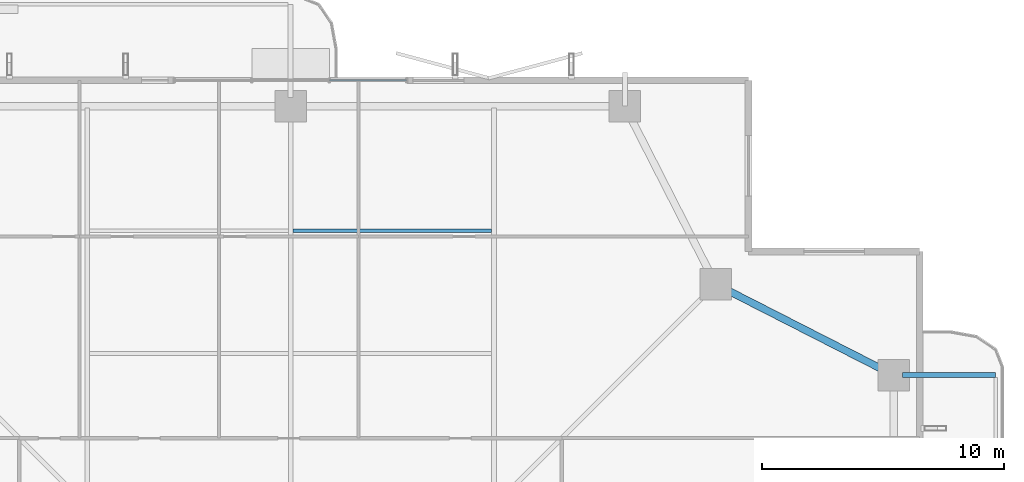
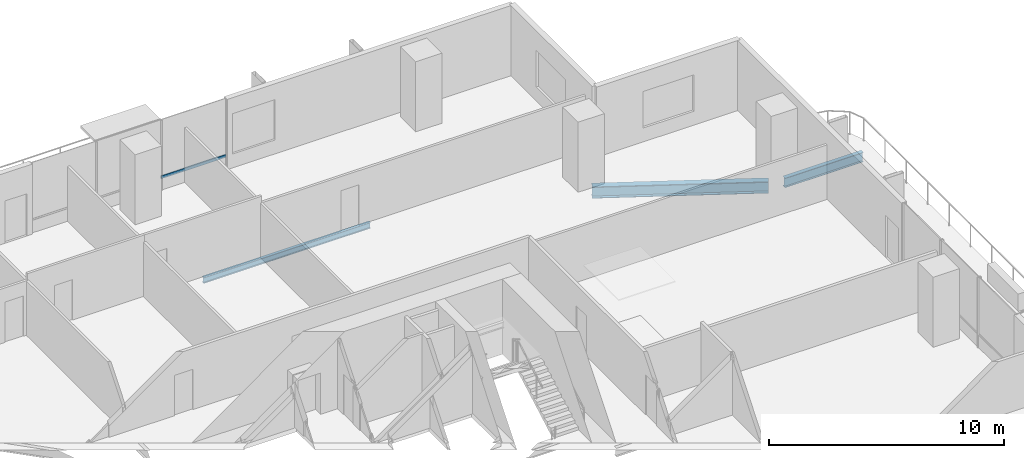
# One storey, part 14 of 24: 3 beams, 1 member, 1 element without a shape of its own.
"""IFC4 building model written with IfcOpenShell, lengths in metres."""

from ifc_helpers import new_model, si_unit, direction, frame, origin, origin_2d, place, context, subcontext, project, spatial, hollow_rectangle, i_section, extrude, material, layer, layer_set, material_profile, profile_set, type_object, element, aggregate, save


model = new_model("IFC4")

# Units and contexts
model_context = context("Model", 3, precision=1e-05, world=origin(), true_north=direction((0.0, 1.0)))
body_context = subcontext(model_context, "Body", "Model", "MODEL_VIEW")
ifc_project = project(units=[si_unit("LENGTHUNIT", "METRE"), si_unit("AREAUNIT", "SQUARE_METRE"), si_unit("VOLUMEUNIT", "CUBIC_METRE"), si_unit("PLANEANGLEUNIT", "RADIAN"), si_unit("MASSUNIT", "GRAM", prefix="KILO")], contexts=[model_context])

# Site, building, storey
site_placement = place(None, origin())
site = spatial("IfcSite", under=ifc_project, at=site_placement, CompositionType="ELEMENT")
building_placement = place(site_placement, origin())
building = spatial("IfcBuilding", under=site, at=building_placement, Name="Belovzor Exchange Tower", CompositionType="ELEMENT")
storey_placement = place(building_placement, frame((0.0, 0.0, 129.0)))
storey = spatial("IfcBuildingStorey", under=building, at=storey_placement, Name="L31", CompositionType="ELEMENT", Elevation=129.0)

# Beams
ifc_material_1 = material(Name="Steel S355", Category="steel")
ifc_material_profile_1 = material_profile(ifc_material_1, i_section(OverallWidth=0.199951171875, OverallDepth=0.5, WebThickness=0.01025390625, FlangeThickness=0.01611328125, at=origin_2d()))
ifc_profile_set_1 = profile_set([ifc_material_profile_1], Name="Steel S355")
beam_type_1 = type_object("IfcBeamType", Name="Planted Balcony Cantilever Beam IPE 500", PredefinedType="BEAM", material=ifc_profile_set_1)
beam_1_placement = place(storey_placement, frame((54.05810546875, 42.60009765625, -0.5), z_axis=(1.0, 0.0, 0.0), x_axis=(0.0, 1.0, 0.0)))
element("IfcBeam", 1, at=beam_1_placement, inside=storey, type_object=beam_type_1, Name="BC-500 Planted Balcony Cantilever Beam IPE 500", PredefinedType="BEAM", context=body_context, shape_type="SweptSolid", body=[
    extrude(i_section(OverallWidth=0.199951171875, OverallDepth=0.5, WebThickness=0.01025390625, FlangeThickness=0.01611328125, at=origin_2d()), origin(), (0.0, 0.0, 1.0), 3.849853515625),
])
ifc_material_2 = material(Name="Steel S355", Category="steel")
ifc_material_profile_2 = material_profile(ifc_material_2, i_section(OverallWidth=0.14990234375, OverallDepth=0.300048828125, WebThickness=0.007080078125, FlangeThickness=0.0107421875, at=origin_2d()))
ifc_profile_set_2 = profile_set([ifc_material_profile_2], Name="Steel S355")
beam_type_2 = type_object("IfcBeamType", Name="Secondary Trim Floor Joist IPE 300", PredefinedType="BEAM", material=ifc_profile_set_2)
beam_2_placement = place(storey_placement, frame((28.89501953125, 48.56103515625, -0.39990234375), z_axis=(1.0, 0.0, 0.0), x_axis=(0.0, 1.0, 0.0)))
element("IfcBeam", 2, at=beam_2_placement, inside=storey, type_object=beam_type_2, Name="FJ-300 Secondary Trim Floor Joist IPE 300", PredefinedType="BEAM", context=body_context, shape_type="SweptSolid", body=[
    extrude(i_section(OverallWidth=0.14990234375, OverallDepth=0.300048828125, WebThickness=0.007080078125, FlangeThickness=0.0107421875, at=origin_2d()), origin(), (0.0, 0.0, 1.0), 8.2099609375),
])

# Curtain wall, member
ifc_material_3 = material(Name="Anodised Aluminium Framing", Category="aluminium")
ifc_layer = layer(ifc_material_3, 0.179931640625)
ifc_layer_set = layer_set([ifc_layer], Name="Anodised Aluminium Framing")
curtain_wall_type = type_object("IfcCurtainWallType", Name="Recessed Loggia Low-Iron Triple-Glazed Curtain Wall", PredefinedType="NOTDEFINED", material=ifc_layer_set)
curtain_wall_placement = place(storey_placement, origin())
curtain_wall = element("IfcCurtainWall", 3, at=curtain_wall_placement, inside=storey, type_object=curtain_wall_type, Name="CW3 Recessed Loggia Low-Iron Triple-Glazed Curtain Wall L31", PredefinedType="NOTDEFINED")
ifc_material_4 = material(Name="Steel S355", Category="steel")
ifc_material_profile_3 = material_profile(ifc_material_4, hollow_rectangle(XDim=0.06005859375, YDim=0.14990234375, WallThickness=0.00390625, at=origin_2d()))
ifc_profile_set_3 = profile_set([ifc_material_profile_3], Name="Steel S355")
member_type = type_object("IfcMemberType", Name="Thermally Broken Curtain Wall Transom 150x60", PredefinedType="USERDEFINED", material=ifc_profile_set_3)
member_placement = place(storey_placement, frame((30.407958984375, 54.77001953125, 0.64990234375), z_axis=(1.0, 0.0, 0.0), x_axis=(0.0, 1.0, 0.0)))
member = element("IfcMember", 4, at=member_placement, type_object=member_type, Name="CW-T150 Curtain Wall Transom 3", ObjectType="TRANSOM", PredefinedType="USERDEFINED", context=body_context, shape_type="SweptSolid", body=[
    extrude(hollow_rectangle(XDim=0.06005859375, YDim=0.14990234375, WallThickness=0.00390625, at=origin_2d()), origin(), (0.0, 0.0, 1.0), 3.18408203125),
])
aggregate(curtain_wall, [member])

# Beam
ifc_material_5 = material(Name="Steel S355", Category="steel")
ifc_material_profile_4 = material_profile(ifc_material_5, i_section(OverallWidth=0.300048828125, OverallDepth=0.60009765625, WebThickness=0.015380859375, FlangeThickness=0.030029296875, at=origin_2d()))
ifc_profile_set_4 = profile_set([ifc_material_profile_4], Name="Steel S355")
beam_type_3 = type_object("IfcBeamType", Name="Zone 2 Primary Perimeter Girder HEB 600", PredefinedType="BEAM", material=ifc_profile_set_4)
beam_3_placement = place(storey_placement, frame((53.382080078125, 42.761962890625, -0.550048828125), z_axis=(-0.890737249989, 0.454518593109, 0.0), x_axis=(-0.454518593109, -0.890737249989, 0.0)))
element("IfcBeam", 5, at=beam_3_placement, inside=storey, type_object=beam_type_3, Name="FG-Z2 Zone 2 Primary Perimeter Girder HEB 600", PredefinedType="BEAM", context=body_context, shape_type="SweptSolid", body=[
    extrude(i_section(OverallWidth=0.300048828125, OverallDepth=0.60009765625, WebThickness=0.015380859375, FlangeThickness=0.030029296875, at=origin_2d()), origin(), (0.0, 0.0, 1.0), 7.53759765625),
])

save(model, "model.ifc")
